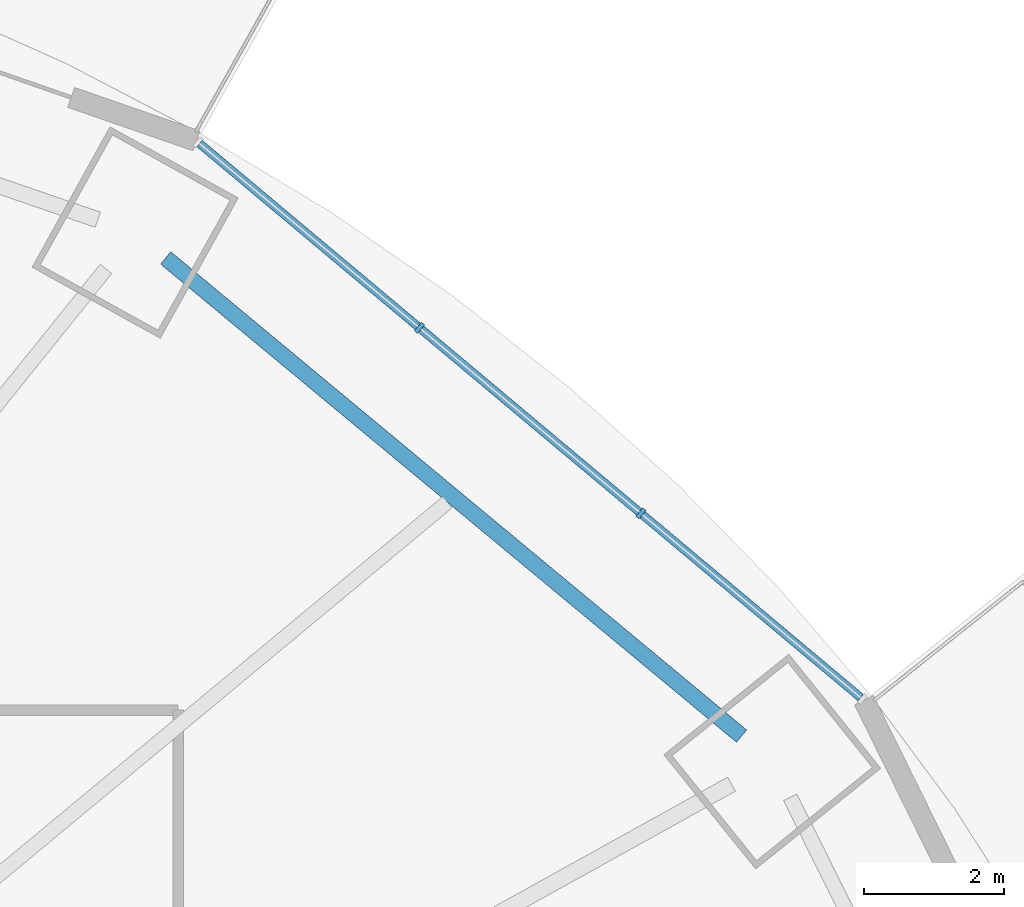
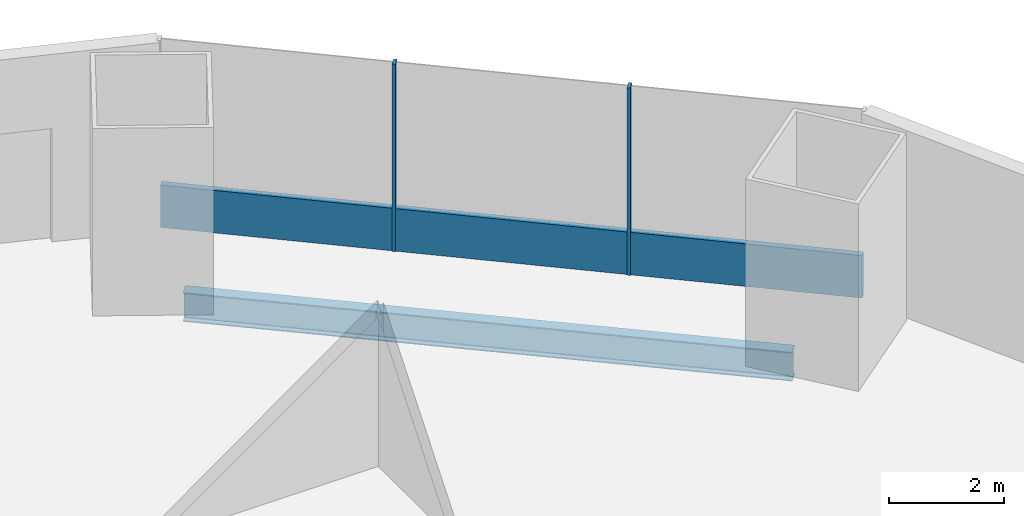
# One storey, part 10 of 22: 3 members, 1 beam, 1 element without a shape of its own.
"""IFC4 building model written with IfcOpenShell, lengths in metres."""

from ifc_helpers import new_model, si_unit, direction, frame, origin, origin_2d, place, context, subcontext, project, spatial, rectangle, i_section, extrude, material, material_profile, profile_set, type_object, element, aggregate, save


model = new_model("IFC4")

# Units and contexts
model_context = context("Model", 3, precision=1e-05, world=origin(), true_north=direction((0.0, 1.0)))
body_context = subcontext(model_context, "Body", "Model", "MODEL_VIEW")
ifc_project = project(units=[si_unit("LENGTHUNIT", "METRE"), si_unit("AREAUNIT", "SQUARE_METRE"), si_unit("VOLUMEUNIT", "CUBIC_METRE"), si_unit("PLANEANGLEUNIT", "RADIAN"), si_unit("MASSUNIT", "GRAM", prefix="KILO")], contexts=[model_context])

# Site, building, storey
site_placement = place(None, origin())
site = spatial("IfcSite", under=ifc_project, at=site_placement, CompositionType="ELEMENT")
building_placement = place(site_placement, origin())
building = spatial("IfcBuilding", under=site, at=building_placement, Name="Marenthal Gate Tower", CompositionType="ELEMENT")
storey_placement = place(building_placement, frame((0.0, 0.0, 103.550048828125)))
storey = spatial("IfcBuildingStorey", under=building, at=storey_placement, Name="L21", CompositionType="ELEMENT", Elevation=103.550048828125)

# Curtain wall, members
ifc_material_1 = material(Name="Aluminium and glass", Category="aluminium")
curtain_wall_type = type_object("IfcCurtainWallType", Name="Curtain wall typical low", PredefinedType="NOTDEFINED", material=ifc_material_1)
curtain_wall_placement = place(storey_placement, origin())
curtain_wall = element("IfcCurtainWall", 1, at=curtain_wall_placement, inside=storey, type_object=curtain_wall_type, Name="Curtain wall L21 bay 2", PredefinedType="NOTDEFINED")
ifc_material_2 = material(Name="Aluminium", Category="aluminium")
ifc_material_profile_1 = material_profile(ifc_material_2, rectangle(XDim=0.159912109375, YDim=0.06005859375, at=origin_2d()), Name="60x160 aluminium mullion")
ifc_profile_set_1 = profile_set([ifc_material_profile_1], Name="Aluminium")
member_type_1 = type_object("IfcMemberType", Name="Mullion 60x160 typical low", PredefinedType="MULLION", material=ifc_profile_set_1)
member_1_placement = place(storey_placement, frame((25.62939453125, 18.8193359375, 0.0), z_axis=(0.0, 0.0, 1.0), x_axis=(-0.642307658805, -0.766446913648, 0.0)))
member_1 = element("IfcMember", 2, at=member_1_placement, type_object=member_type_1, Name="Mullion L21 bay 2.2", PredefinedType="MULLION", context=body_context, shape_type="SweptSolid", body=[
    extrude(rectangle(XDim=0.159912109375, YDim=0.06005859375, at=origin_2d()), origin(), (0.0, 0.0, 1.0), 3.969970703125),
])
member_2_placement = place(storey_placement, frame((22.45654296875, 21.478271484375, 0.0), z_axis=(0.0, 0.0, 1.0), x_axis=(-0.642307658805, -0.766446913648, 0.0)))
member_2 = element("IfcMember", 3, at=member_2_placement, type_object=member_type_1, Name="Mullion L21 bay 2.3", PredefinedType="MULLION", context=body_context, shape_type="SweptSolid", body=[
    extrude(rectangle(XDim=0.159912109375, YDim=0.06005859375, at=origin_2d()), origin(), (0.0, 0.0, 1.0), 3.969970703125),
])
ifc_material_3 = material(Name="Aluminium", Category="aluminium")
ifc_material_profile_2 = material_profile(ifc_material_3, rectangle(XDim=0.1201171875, YDim=0.89990234375, at=origin_2d()), Name="120x900 aluminium transom")
ifc_profile_set_2 = profile_set([ifc_material_profile_2], Name="Aluminium")
member_type_2 = type_object("IfcMemberType", Name="Transom 120x900 typical low", PredefinedType="USERDEFINED", material=ifc_profile_set_2)
member_3_placement = place(storey_placement, frame((28.779296875, 16.179443359375, 0.449951171875), z_axis=(-0.766442158037, 0.642313333494, 0.0), x_axis=(-0.642313333494, -0.766442158037, 0.0)))
member_3 = element("IfcMember", 4, at=member_3_placement, type_object=member_type_2, Name="Transom L21 bay 2", ObjectType="TRANSOM", PredefinedType="USERDEFINED", context=body_context, shape_type="SweptSolid", body=[
    extrude(rectangle(XDim=0.1201171875, YDim=0.89990234375, at=origin_2d()), origin(), (0.0, 0.0, 1.0), 12.359619140625),
])
aggregate(curtain_wall, [member_1, member_2, member_3])

# Beam
ifc_material_4 = material(Name="Steel S355", Category="steel")
ifc_material_profile_3 = material_profile(ifc_material_4, i_section(OverallWidth=0.22900390625, OverallDepth=0.612060546875, WebThickness=0.011962890625, FlangeThickness=0.01953125, FilletRadius=0.0126953125, at=origin_2d()), Name="W610X125")
ifc_profile_set_3 = profile_set([ifc_material_profile_3], Name="Steel S355")
beam_type = type_object("IfcBeamType", Name="W610X125 beam", PredefinedType="BEAM", material=ifc_profile_set_3)
beam_placement = place(storey_placement, frame((27.072021484375, 15.628173828125, -0.486083984375), z_axis=(-0.769369356562, 0.638804190017, 0.0), x_axis=(-0.638804190017, -0.769369356562, 0.0)))
element("IfcBeam", 5, at=beam_placement, inside=storey, type_object=beam_type, Name="BM-L21-42", PredefinedType="BEAM", context=body_context, shape_type="SweptSolid", body=[
    extrude(i_section(OverallWidth=0.22900390625, OverallDepth=0.612060546875, WebThickness=0.011962890625, FlangeThickness=0.01953125, FilletRadius=0.0126953125, at=origin_2d()), origin(), (0.0, 0.0, 1.0), 10.7255859375),
])

save(model, "model.ifc")
